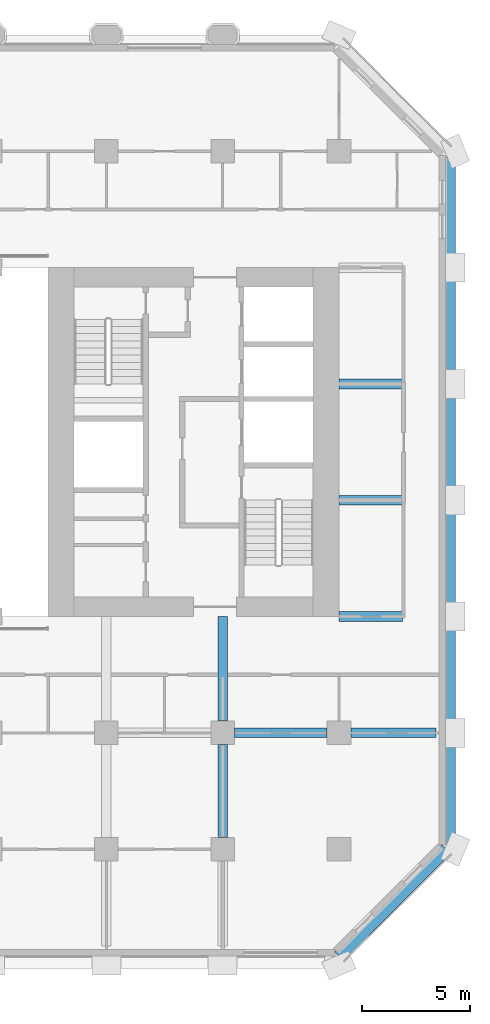
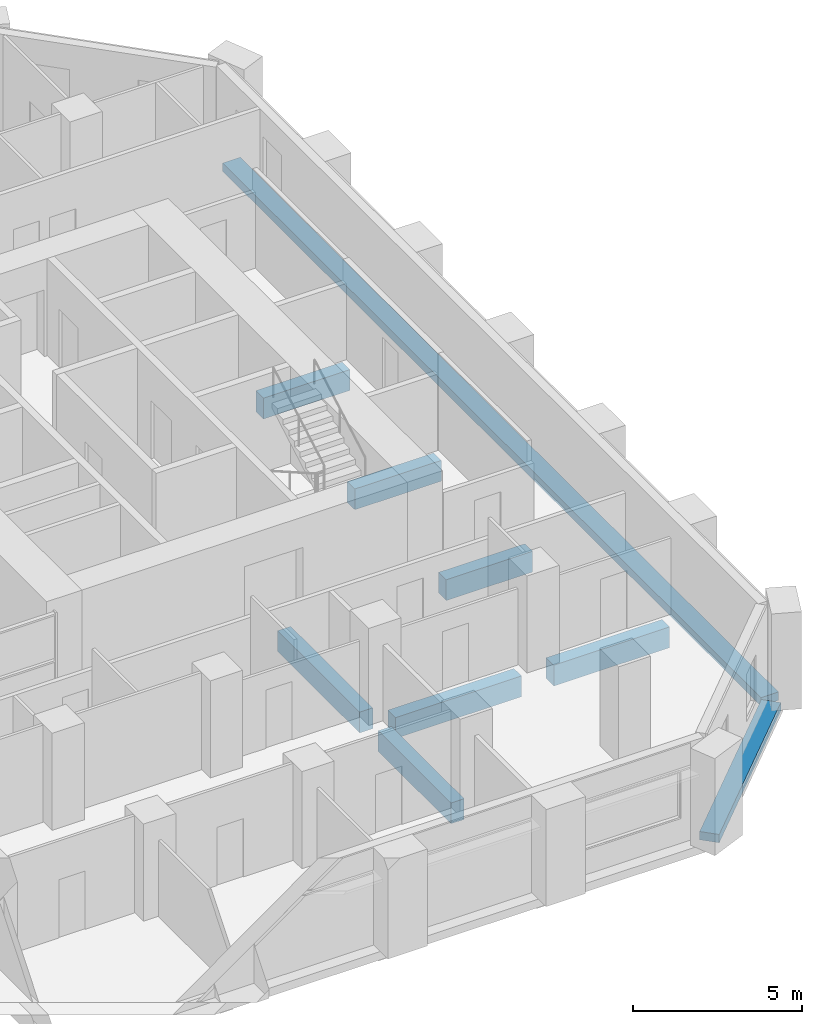
# One storey, part 5 of 13: 9 beams.
"""IFC4 building model written with IfcOpenShell, lengths in metres."""

from ifc_helpers import new_model, si_unit, direction, frame, origin, origin_2d, place, context, subcontext, project, spatial, rectangle, extrude, material, material_profile, profile_set, type_object, element, save


model = new_model("IFC4")

# Units and contexts
model_context = context("Model", 3, precision=1e-05, world=origin(), true_north=direction((0.0, 1.0)))
body_context = subcontext(model_context, "Body", "Model", "MODEL_VIEW")
ifc_project = project(units=[si_unit("LENGTHUNIT", "METRE"), si_unit("AREAUNIT", "SQUARE_METRE"), si_unit("VOLUMEUNIT", "CUBIC_METRE"), si_unit("PLANEANGLEUNIT", "RADIAN"), si_unit("MASSUNIT", "GRAM", prefix="KILO")], contexts=[model_context])

# Site, building, storey
site_placement = place(None, origin())
site = spatial("IfcSite", under=ifc_project, at=site_placement, CompositionType="ELEMENT")
building_placement = place(site_placement, origin())
building = spatial("IfcBuilding", under=site, at=building_placement, Name="Tabaq Tower and Sports Hall", CompositionType="ELEMENT")
storey_placement = place(building_placement, frame((0.0, 0.0, 37.39990234375)))
storey = spatial("IfcBuildingStorey", under=building, at=storey_placement, Name="L07", CompositionType="ELEMENT", Elevation=37.39990234375)

# Beams
ifc_material_1 = material(Name="Concrete C40/50", Category="concrete")
ifc_material_profile_1 = material_profile(ifc_material_1, rectangle(XDim=0.449951171875, YDim=0.75, at=origin_2d()), Name="CB 450x750")
ifc_profile_set_1 = profile_set([ifc_material_profile_1], Name="Concrete C40/50")
beam_type_1 = type_object("IfcBeamType", Name="PT CANTILEVER BEAM CB 450x750 C40/50", PredefinedType="BEAM", material=ifc_profile_set_1)
beam_1_placement = place(storey_placement, frame((47.699951171875, 10.800048828125, -0.6748046875), z_axis=(-1.0, 0.0, 0.0), x_axis=(0.0, -1.0, 0.0)))
element("IfcBeam", 1, at=beam_1_placement, inside=storey, type_object=beam_type_1, Name="Cantilever Beam L07 E2 span 1", PredefinedType="BEAM", context=body_context, shape_type="SweptSolid", body=[
    extrude(rectangle(XDim=0.449951171875, YDim=0.75, at=origin_2d()), origin(), (0.0, 0.0, 1.0), 3.949951171875),
])
beam_2_placement = place(storey_placement, frame((42.64990234375, 10.800048828125, -0.6748046875), z_axis=(-1.0, 0.0, 0.0), x_axis=(0.0, -1.0, 0.0)))
element("IfcBeam", 2, at=beam_2_placement, inside=storey, type_object=beam_type_1, Name="Cantilever Beam L07 E2 span 2", PredefinedType="BEAM", context=body_context, shape_type="SweptSolid", body=[
    extrude(rectangle(XDim=0.449951171875, YDim=0.75, at=origin_2d()), origin(), (0.0, 0.0, 1.0), 4.2998046875),
])
for number, where, z_axis, x_axis, name in (
    (3, (46.14990234375, 16.199951171875, -0.6748046875), (-1.0, 0.0, 0.0), (0.0, -1.0, 0.0), "Cantilever Beam L07 E3 span 1"),
    (4, (46.14990234375, 21.60009765625, -0.6748046875), (-1.0, 0.0, 0.0), (0.0, -1.0, 0.0), "Cantilever Beam L07 E4 span 1"),
    (5, (46.14990234375, 27.0, -0.6748046875), (-1.0, 0.0, 0.0), (0.0, -1.0, 0.0), "Cantilever Beam L07 E5 span 1"),
):
    element("IfcBeam", number, at=place(storey_placement, frame(where, z_axis=z_axis, x_axis=x_axis)), inside=storey, type_object=beam_type_1, Name=name, PredefinedType="BEAM", context=body_context, shape_type="SweptSolid", body=[
        extrude(rectangle(XDim=0.449951171875, YDim=0.75, at=origin_2d()), origin(), (0.0, 0.0, 1.0), 2.949951171875),
    ])
beam_3_placement = place(storey_placement, frame((37.800048828125, 5.949951171875, -0.6748046875), z_axis=(0.0, 1.0, 0.0), x_axis=(-1.0, 0.0, 0.0)))
element("IfcBeam", 6, at=beam_3_placement, inside=storey, type_object=beam_type_1, Name="Cantilever Beam L07 S7 span 2", PredefinedType="BEAM", context=body_context, shape_type="SweptSolid", body=[
    extrude(rectangle(XDim=0.449951171875, YDim=0.75, at=origin_2d()), origin(), (0.0, 0.0, 1.0), 4.300048828125),
])
beam_4_placement = place(storey_placement, frame((37.800048828125, 11.35009765625, -0.6748046875), z_axis=(0.0, 1.0, 0.0), x_axis=(-1.0, 0.0, 0.0)))
element("IfcBeam", 7, at=beam_4_placement, inside=storey, type_object=beam_type_1, Name="Cantilever Beam L07 S7 span 3", PredefinedType="BEAM", context=body_context, shape_type="SweptSolid", body=[
    extrude(rectangle(XDim=0.449951171875, YDim=0.75, at=origin_2d()), origin(), (0.0, 0.0, 1.0), 4.849853515625),
])
ifc_material_2 = material(Name="Concrete C40/50", Category="concrete")
ifc_material_profile_2 = material_profile(ifc_material_2, rectangle(XDim=0.60009765625, YDim=0.300048828125, at=origin_2d()), Name="EB 600x300")
ifc_profile_set_2 = profile_set([ifc_material_profile_2], Name="Concrete C40/50")
beam_type_2 = type_object("IfcBeamType", Name="PT EDGE BEAM EB 600x300 C40/50", PredefinedType="SPANDREL", material=ifc_profile_set_2)
beam_5_placement = place(storey_placement, frame((43.198974609375, 0.42333984375, -0.14990234375), z_axis=(0.707106781187, 0.707106781187, 0.0), x_axis=(-0.707106781187, 0.707106781187, 0.0)))
element("IfcBeam", 8, at=beam_5_placement, inside=storey, type_object=beam_type_2, Name="Edge Beam L07 2", PredefinedType="SPANDREL", context=body_context, shape_type="SweptSolid", body=[
    extrude(rectangle(XDim=0.60009765625, YDim=0.300048828125, at=origin_2d()), origin(), (0.0, 0.0, 1.0), 7.03955078125),
])
beam_6_placement = place(storey_placement, frame((48.300048828125, 5.698486328125, -0.14990234375), z_axis=(0.0, 1.0, 0.0), x_axis=(-1.0, 0.0, 0.0)))
element("IfcBeam", 9, at=beam_6_placement, inside=storey, type_object=beam_type_2, Name="Edge Beam L07 3", PredefinedType="SPANDREL", context=body_context, shape_type="SweptSolid", body=[
    extrude(rectangle(XDim=0.60009765625, YDim=0.300048828125, at=origin_2d()), origin(), (0.0, 0.0, 1.0), 31.802978515625),
])

save(model, "model.ifc")
